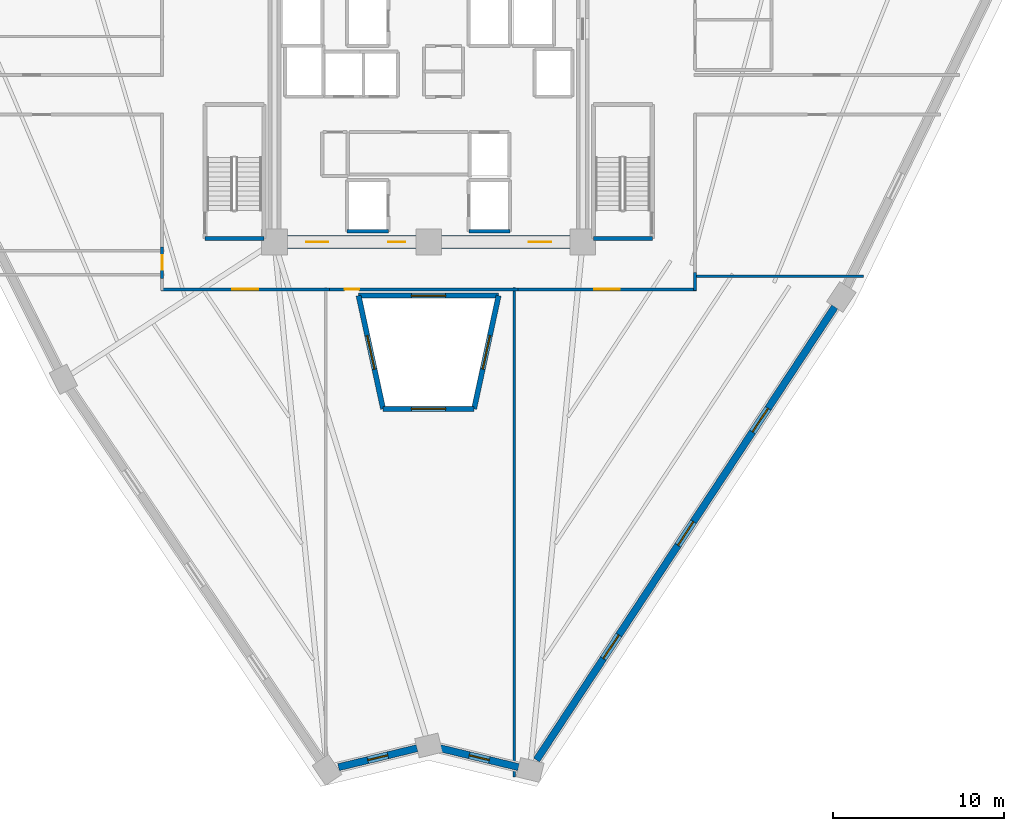
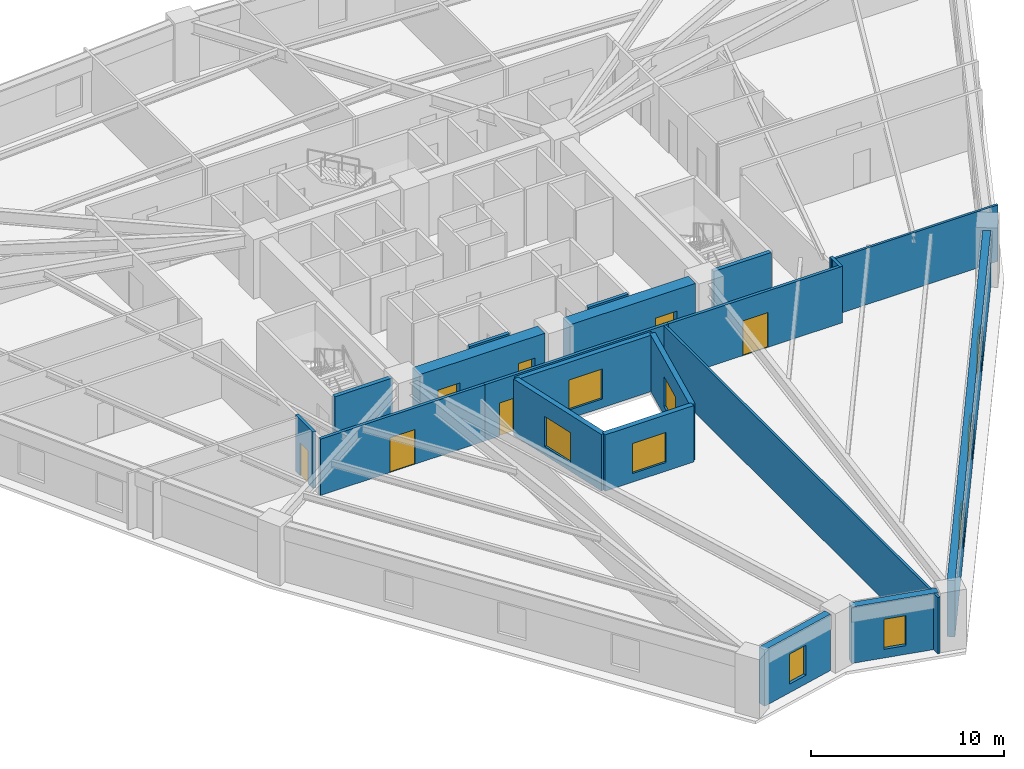
# One storey, part 3 of 9: 20 walls, 9 windows, 7 doors, 16 openings.
"""IFC4 building model written with IfcOpenShell, lengths in metres."""

from ifc_helpers import new_model, si_unit, direction, frame, frame_2d, origin, place, context, subcontext, project, spatial, rectangle, extrude, source, transform, mapped, material, layer, layer_set, type_object, element, fill, save


model = new_model("IFC4")

# Units and contexts
model_context = context("Model", 3, precision=1e-05, world=origin(), true_north=direction((0.0, 1.0)))
body_context = subcontext(model_context, "Body", "Model", "MODEL_VIEW")
ifc_project = project(units=[si_unit("LENGTHUNIT", "METRE"), si_unit("AREAUNIT", "SQUARE_METRE"), si_unit("VOLUMEUNIT", "CUBIC_METRE"), si_unit("PLANEANGLEUNIT", "RADIAN"), si_unit("MASSUNIT", "GRAM", prefix="KILO")], contexts=[model_context])

# Site, building, storey
site_placement = place(None, origin())
site = spatial("IfcSite", under=ifc_project, at=site_placement, CompositionType="ELEMENT")
building_placement = place(site_placement, origin())
building = spatial("IfcBuilding", under=site, at=building_placement, Name="Liaohun Quay Tower", CompositionType="ELEMENT")
storey_placement = place(building_placement, frame((0.0, 0.0, 128.25)))
storey = spatial("IfcBuildingStorey", under=building, at=storey_placement, Name="L33", CompositionType="ELEMENT", Elevation=128.25)

# Wall, opening, window
ifc_material_1 = material(Name="Concrete C50", Category="concrete")
ifc_layer_1 = layer(ifc_material_1, 0.300048828125, Name="Concrete C50", Category="concrete")
ifc_layer_set_1 = layer_set([ifc_layer_1], Name="Concrete C50")
wall_type_1 = type_object("IfcWallType", Name="WAL-ATR-300", PredefinedType="SOLIDWALL", material=ifc_layer_set_1)
wall_1_placement = place(storey_placement, frame((57.343017578125, 36.75390625, 0.0), z_axis=(0.0, 0.0, 1.0), x_axis=(-0.21138587267, 0.977402687144, 0.0)))
wall_1 = element("IfcWall", 1, at=wall_1_placement, inside=storey, type_object=wall_type_1, Name="L33 Atrium Fire Compartment Wall 1", PredefinedType="SOLIDWALL", context=body_context, shape_type="SweptSolid", body=[
    extrude(rectangle(XDim=6.769287109375, YDim=0.300048828125, at=frame_2d((3.384765625, 0.0))), origin(), (0.0, 0.0, 1.0), 3.570068359375),
])
shared_shape_1 = source(origin(), body_context, "Body", "SweptSolid", [
    extrude(rectangle(XDim=2.0, YDim=1.89990234375, at=frame_2d((1.0, 0.949951171875))), frame((0.0, 0.159912109375, 0.0), z_axis=(0.0, -1.0, 0.0), x_axis=(1.0, 0.0, 0.0)), (0.0, 0.0, 1.0), 0.320068359375),
])
opening_1_placement = place(wall_1_placement, frame((2.384033203125, 0.0, 0.550048828125)))
opening_1 = element("IfcOpeningElement", 2, at=opening_1_placement, cuts=wall_1, Name="Opening W07", PredefinedType="OPENING", context=body_context, shape_type="MappedRepresentation", body=[
    mapped(shared_shape_1, transform((0.0, 0.0, 0.0), x_axis=(1.0, 0.0, 0.0), y_axis=(0.0, 1.0, 0.0), z_axis=(0.0, 0.0, 1.0), scale=1.0)),
])
ifc_material_2 = material(Name="Class A 180-min fire-resistant insulated glazing", Category="glass")
window_type_1 = type_object("IfcWindowType", Name="WIN-ATR-FIR", PartitioningType="DOUBLE_PANEL_VERTICAL", PredefinedType="WINDOW", material=ifc_material_2)
shared_shape_2 = source(origin(), body_context, "Body", "SweptSolid", [
    extrude(rectangle(XDim=2.0, YDim=1.89990234375, at=frame_2d((1.0, 0.949951171875))), frame((0.0, 0.030029296875, 0.0), z_axis=(0.0, -1.0, 0.0), x_axis=(1.0, 0.0, 0.0)), (0.0, 0.0, 1.0), 0.06005859375),
])
window_1_placement = place(opening_1_placement, origin())
window_1 = element("IfcWindow", 3, at=window_1_placement, inside=storey, type_object=window_type_1, Name="L33 Atrium Fire-Resistant Glazing W07-1", OverallHeight=1.89990234375, OverallWidth=2.0, PartitioningType="DOUBLE_PANEL_VERTICAL", PredefinedType="WINDOW", context=body_context, shape_type="MappedRepresentation", body=[
    mapped(shared_shape_2, transform((0.0, 0.0, 0.0), x_axis=(1.0, 0.0, 0.0), y_axis=(0.0, 1.0, 0.0), z_axis=(0.0, 0.0, 1.0), scale=1.0)),
])
fill(opening_1, window_1)

wall_2_placement = place(storey_placement, frame((55.912109375, 43.3701171875, 0.0), z_axis=(0.0, 0.0, 1.0), x_axis=(1.0, 0.0, 0.0)))
wall_2 = element("IfcWall", 4, at=wall_2_placement, inside=storey, type_object=wall_type_1, Name="L33 Atrium Fire Compartment Wall 2", PredefinedType="SOLIDWALL", context=body_context, shape_type="SweptSolid", body=[
    extrude(rectangle(XDim=8.17578125, YDim=0.300048828125, at=frame_2d((4.087890625, 0.0))), origin(), (0.0, 0.0, 1.0), 3.570068359375),
])
opening_2_placement = place(wall_2_placement, frame((3.087890625, 0.0, 0.550048828125)))
opening_2 = element("IfcOpeningElement", 5, at=opening_2_placement, cuts=wall_2, Name="Opening W07", PredefinedType="OPENING", context=body_context, shape_type="MappedRepresentation", body=[
    mapped(shared_shape_1, transform((0.0, 0.0, 0.0), x_axis=(1.0, 0.0, 0.0), y_axis=(0.0, 1.0, 0.0), z_axis=(0.0, 0.0, 1.0), scale=1.0)),
])
window_2_placement = place(opening_2_placement, origin())
window_2 = element("IfcWindow", 6, at=window_2_placement, inside=storey, type_object=window_type_1, Name="L33 Atrium Fire-Resistant Glazing W07-2", OverallHeight=1.89990234375, OverallWidth=2.0, PartitioningType="DOUBLE_PANEL_VERTICAL", PredefinedType="WINDOW", context=body_context, shape_type="MappedRepresentation", body=[
    mapped(shared_shape_2, transform((0.0, 0.0, 0.0), x_axis=(1.0, 0.0, 0.0), y_axis=(0.0, 1.0, 0.0), z_axis=(0.0, 0.0, 1.0), scale=1.0)),
])
fill(opening_2, window_2)

wall_3_placement = place(storey_placement, frame((64.087890625, 43.3701171875, 0.0), z_axis=(0.0, 0.0, 1.0), x_axis=(-0.21138587267, -0.977402687144, 0.0)))
wall_3 = element("IfcWall", 7, at=wall_3_placement, inside=storey, type_object=wall_type_1, Name="L33 Atrium Fire Compartment Wall 3", PredefinedType="SOLIDWALL", context=body_context, shape_type="SweptSolid", body=[
    extrude(rectangle(XDim=6.769287109375, YDim=0.300048828125, at=frame_2d((3.384765625, 0.0))), origin(), (0.0, 0.0, 1.0), 3.570068359375),
])
opening_3_placement = place(wall_3_placement, frame((2.384033203125, 0.0, 0.550048828125)))
opening_3 = element("IfcOpeningElement", 8, at=opening_3_placement, cuts=wall_3, Name="Opening W07", PredefinedType="OPENING", context=body_context, shape_type="MappedRepresentation", body=[
    mapped(shared_shape_1, transform((0.0, 0.0, 0.0), x_axis=(1.0, 0.0, 0.0), y_axis=(0.0, 1.0, 0.0), z_axis=(0.0, 0.0, 1.0), scale=1.0)),
])
window_3_placement = place(opening_3_placement, origin())
window_3 = element("IfcWindow", 9, at=window_3_placement, inside=storey, type_object=window_type_1, Name="L33 Atrium Fire-Resistant Glazing W07-3", OverallHeight=1.89990234375, OverallWidth=2.0, PartitioningType="DOUBLE_PANEL_VERTICAL", PredefinedType="WINDOW", context=body_context, shape_type="MappedRepresentation", body=[
    mapped(shared_shape_2, transform((0.0, 0.0, 0.0), x_axis=(1.0, 0.0, 0.0), y_axis=(0.0, 1.0, 0.0), z_axis=(0.0, 0.0, 1.0), scale=1.0)),
])
fill(opening_3, window_3)

wall_4_placement = place(storey_placement, frame((62.656982421875, 36.75390625, 0.0), z_axis=(0.0, 0.0, 1.0), x_axis=(-1.0, 0.0, 0.0)))
wall_4 = element("IfcWall", 10, at=wall_4_placement, inside=storey, type_object=wall_type_1, Name="L33 Atrium Fire Compartment Wall 4", PredefinedType="SOLIDWALL", context=body_context, shape_type="SweptSolid", body=[
    extrude(rectangle(XDim=5.31396484375, YDim=0.300048828125, at=frame_2d((2.656982421875, 0.0))), origin(), (0.0, 0.0, 1.0), 3.570068359375),
])
opening_4_placement = place(wall_4_placement, frame((1.656982421875, 0.0, 0.550048828125)))
opening_4 = element("IfcOpeningElement", 11, at=opening_4_placement, cuts=wall_4, Name="Opening W07", PredefinedType="OPENING", context=body_context, shape_type="MappedRepresentation", body=[
    mapped(shared_shape_1, transform((0.0, 0.0, 0.0), x_axis=(1.0, 0.0, 0.0), y_axis=(0.0, 1.0, 0.0), z_axis=(0.0, 0.0, 1.0), scale=1.0)),
])
window_4_placement = place(opening_4_placement, origin())
window_4 = element("IfcWindow", 12, at=window_4_placement, inside=storey, type_object=window_type_1, Name="L33 Atrium Fire-Resistant Glazing W07-4", OverallHeight=1.89990234375, OverallWidth=2.0, PartitioningType="DOUBLE_PANEL_VERTICAL", PredefinedType="WINDOW", context=body_context, shape_type="MappedRepresentation", body=[
    mapped(shared_shape_2, transform((0.0, 0.0, 0.0), x_axis=(1.0, 0.0, 0.0), y_axis=(0.0, 1.0, 0.0), z_axis=(0.0, 0.0, 1.0), scale=1.0)),
])
fill(opening_4, window_4)

# Wall, opening, door
ifc_material_3 = material(Name="Concrete C60", Category="concrete")
ifc_layer_2 = layer(ifc_material_3, 0.75, Name="Concrete C60", Category="concrete")
ifc_layer_set_2 = layer_set([ifc_layer_2], Name="Concrete C60")
wall_type_2 = type_object("IfcWallType", Name="WAL-COR-Z2", PredefinedType="SHEAR", material=ifc_layer_set_2)
wall_5_placement = place(storey_placement, frame((68.25, 46.5, 0.0), z_axis=(0.0, 0.0, 1.0), x_axis=(-1.0, 0.0, 0.0)))
wall_5 = element("IfcWall", 13, at=wall_5_placement, inside=storey, type_object=wall_type_2, Name="L33 Central Core Shear Wall S-E", PredefinedType="SHEAR", context=body_context, shape_type="SweptSolid", body=[
    extrude(rectangle(XDim=7.5, YDim=0.75, at=frame_2d((3.75, 0.0))), origin(), (0.0, 0.0, 1.0), 3.570068359375),
])
shared_shape_3 = source(origin(), body_context, "Body", "SweptSolid", [
    extrude(rectangle(XDim=1.300048828125, YDim=2.199951171875, at=frame_2d((0.64990234375, 1.10009765625))), frame((0.0, 0.385009765625, 0.0), z_axis=(0.0, -1.0, 0.0), x_axis=(1.0, 0.0, 0.0)), (0.0, 0.0, 1.0), 0.77001953125),
])
opening_5_placement = place(wall_5_placement, frame((1.10009765625, 0.0, 0.0)))
opening_5 = element("IfcOpeningElement", 14, at=opening_5_placement, cuts=wall_5, Name="Opening FD1", PredefinedType="OPENING", context=body_context, shape_type="MappedRepresentation", body=[
    mapped(shared_shape_3, transform((0.0, 0.0, 0.0), x_axis=(1.0, 0.0, 0.0), y_axis=(0.0, 1.0, 0.0), z_axis=(0.0, 0.0, 1.0), scale=1.0)),
])
ifc_material_4 = material(Name="Galvanised steel smokeproof fire door", Category="steel")
door_type_1 = type_object("IfcDoorType", Name="DOR-FFL-1300", OperationType="NOTDEFINED", PredefinedType="DOOR", material=ifc_material_4)
shared_shape_4 = source(origin(), body_context, "Body", "SweptSolid", [
    extrude(rectangle(XDim=1.300048828125, YDim=2.199951171875, at=frame_2d((0.64990234375, 1.10009765625))), frame((0.0, 0.02490234375, 0.0), z_axis=(0.0, -1.0, 0.0), x_axis=(1.0, 0.0, 0.0)), (0.0, 0.0, 1.0), 0.050048828125),
])
door_1_placement = place(opening_5_placement, origin())
door_1 = element("IfcDoor", 15, at=door_1_placement, inside=storey, type_object=door_type_1, Name="L33 East Core Lift Lobby Smokeproof Door", OperationType="SINGLE_SWING_LEFT", OverallHeight=2.199951171875, OverallWidth=1.300048828125, PredefinedType="DOOR", context=body_context, shape_type="MappedRepresentation", body=[
    mapped(shared_shape_4, transform((0.0, 0.0, 0.0), x_axis=(1.0, 0.0, 0.0), y_axis=(0.0, 1.0, 0.0), z_axis=(0.0, 0.0, 1.0), scale=1.0)),
])
fill(opening_5, door_1)

# Wall, openings, doors
wall_6_placement = place(storey_placement, frame((59.25, 46.5, 0.0), z_axis=(0.0, 0.0, 1.0), x_axis=(-1.0, 0.0, 0.0)))
wall_6 = element("IfcWall", 16, at=wall_6_placement, inside=storey, type_object=wall_type_2, Name="L33 Central Core Shear Wall S-W", PredefinedType="SHEAR", context=body_context, shape_type="SweptSolid", body=[
    extrude(rectangle(XDim=7.5, YDim=0.75, at=frame_2d((3.75, 0.0))), origin(), (0.0, 0.0, 1.0), 3.570068359375),
])
opening_6_placement = place(wall_6_placement, frame((5.10009765625, 0.0, 0.0)))
opening_6 = element("IfcOpeningElement", 17, at=opening_6_placement, cuts=wall_6, Name="Opening FD1", PredefinedType="OPENING", context=body_context, shape_type="MappedRepresentation", body=[
    mapped(shared_shape_3, transform((0.0, 0.0, 0.0), x_axis=(1.0, 0.0, 0.0), y_axis=(0.0, 1.0, 0.0), z_axis=(0.0, 0.0, 1.0), scale=1.0)),
])
shared_shape_5 = source(origin(), body_context, "Body", "SweptSolid", [
    extrude(rectangle(XDim=1.0, YDim=2.199951171875, at=frame_2d((0.5, 1.10009765625))), frame((0.0, 0.385009765625, 0.0), z_axis=(0.0, -1.0, 0.0), x_axis=(1.0, 0.0, 0.0)), (0.0, 0.0, 1.0), 0.77001953125),
])
opening_7_placement = place(wall_6_placement, frame((0.60009765625, 0.0, 0.0)))
opening_7 = element("IfcOpeningElement", 18, at=opening_7_placement, cuts=wall_6, Name="Opening FD2", PredefinedType="OPENING", context=body_context, shape_type="MappedRepresentation", body=[
    mapped(shared_shape_5, transform((0.0, 0.0, 0.0), x_axis=(1.0, 0.0, 0.0), y_axis=(0.0, 1.0, 0.0), z_axis=(0.0, 0.0, 1.0), scale=1.0)),
])
door_2_placement = place(opening_6_placement, origin())
door_2 = element("IfcDoor", 19, at=door_2_placement, inside=storey, type_object=door_type_1, Name="L33 West Core Lift Lobby Smokeproof Door", OperationType="SINGLE_SWING_RIGHT", OverallHeight=2.199951171875, OverallWidth=1.300048828125, PredefinedType="DOOR", context=body_context, shape_type="MappedRepresentation", body=[
    mapped(shared_shape_4, transform((0.0, 0.0, 0.0), x_axis=(1.0, 0.0, 0.0), y_axis=(0.0, 1.0, 0.0), z_axis=(0.0, 0.0, 1.0), scale=1.0)),
])
fill(opening_6, door_2)
ifc_material_5 = material(Name="Galvanised steel smokeproof lobby fire door", Category="steel")
door_type_2 = type_object("IfcDoorType", Name="DOR-FFL-1000", OperationType="NOTDEFINED", PredefinedType="DOOR", material=ifc_material_5)
shared_shape_6 = source(origin(), body_context, "Body", "SweptSolid", [
    extrude(rectangle(XDim=1.0, YDim=2.199951171875, at=frame_2d((0.5, 1.10009765625))), frame((0.0, 0.02490234375, 0.0), z_axis=(0.0, -1.0, 0.0), x_axis=(1.0, 0.0, 0.0)), (0.0, 0.0, 1.0), 0.050048828125),
])
door_3_placement = place(opening_7_placement, origin())
door_3 = element("IfcDoor", 20, at=door_3_placement, inside=storey, type_object=door_type_2, Name="L33 South Firefighting Lobby Smokeproof Door", OperationType="SINGLE_SWING_LEFT", OverallHeight=2.199951171875, OverallWidth=1.0, PredefinedType="DOOR", context=body_context, shape_type="MappedRepresentation", body=[
    mapped(shared_shape_6, transform((0.0, 0.0, 0.0), x_axis=(1.0, 0.0, 0.0), y_axis=(0.0, 1.0, 0.0), z_axis=(0.0, 0.0, 1.0), scale=1.0)),
])
fill(opening_7, door_3)

# Wall, opening, window
ifc_material_6 = material(Name="Precast concrete C50 insulated sandwich", Category="concrete")
ifc_layer_3 = layer(ifc_material_6, 0.419921875, Name="Precast concrete C50 insulated sandwich", Category="concrete")
ifc_layer_set_3 = layer_set([ifc_layer_3], Name="Precast concrete C50 insulated sandwich")
wall_type_3 = type_object("IfcWallType", Name="WAL-EXT-Z12", PredefinedType="SOLIDWALL", material=ifc_layer_set_3)
wall_7_placement = place(storey_placement, frame((60.6708984375, 16.945068359375, 0.0), z_axis=(0.0, 0.0, 1.0), x_axis=(0.972084652769, -0.234630406918, 0.0)))
wall_7 = element("IfcWall", 21, at=wall_7_placement, inside=storey, type_object=wall_type_3, Name="L33 Brutalist Precast Pier Wall 01", PredefinedType="SOLIDWALL", context=body_context, shape_type="SweptSolid", body=[
    extrude(rectangle(XDim=4.713623046875, YDim=0.419921875, at=frame_2d((2.35693359375, 0.0))), origin(), (0.0, 0.0, 1.0), 3.570068359375),
])
shared_shape_7 = source(origin(), body_context, "Body", "SweptSolid", [
    extrude(rectangle(XDim=1.199951171875, YDim=1.89990234375, at=frame_2d((0.60009765625, 0.949951171875))), frame((0.0, 0.219970703125, 0.0), z_axis=(0.0, -1.0, 0.0), x_axis=(1.0, 0.0, 0.0)), (0.0, 0.0, 1.0), 0.43994140625),
])
opening_8_placement = place(wall_7_placement, frame((1.757080078125, 0.0, 0.550048828125)))
opening_8 = element("IfcOpeningElement", 22, at=opening_8_placement, cuts=wall_7, Name="Opening W05", PredefinedType="OPENING", context=body_context, shape_type="MappedRepresentation", body=[
    mapped(shared_shape_7, transform((0.0, 0.0, 0.0), x_axis=(1.0, 0.0, 0.0), y_axis=(0.0, 1.0, 0.0), z_axis=(0.0, 0.0, 1.0), scale=1.0)),
])
ifc_material_7 = material(Name="Triple Low-E corner notch glazing", Category="glass")
window_type_2 = type_object("IfcWindowType", Name="WIN-NOTCH", PartitioningType="SINGLE_PANEL", PredefinedType="WINDOW", material=ifc_material_7)
shared_shape_8 = source(origin(), body_context, "Body", "SweptSolid", [
    extrude(rectangle(XDim=1.199951171875, YDim=1.89990234375, at=frame_2d((0.60009765625, 0.949951171875))), frame((0.0, 0.030029296875, 0.0), z_axis=(0.0, -1.0, 0.0), x_axis=(1.0, 0.0, 0.0)), (0.0, 0.0, 1.0), 0.06005859375),
])
window_5_placement = place(opening_8_placement, origin())
window_5 = element("IfcWindow", 23, at=window_5_placement, inside=storey, type_object=window_type_2, Name="L33 Corner Notch Window W05-01", OverallHeight=1.89990234375, OverallWidth=1.199951171875, PartitioningType="SINGLE_PANEL", PredefinedType="WINDOW", context=body_context, shape_type="MappedRepresentation", body=[
    mapped(shared_shape_8, transform((0.0, 0.0, 0.0), x_axis=(1.0, 0.0, 0.0), y_axis=(0.0, 1.0, 0.0), z_axis=(0.0, 0.0, 1.0), scale=1.0)),
])
fill(opening_8, window_5)

# Wall, openings, windows
wall_8_placement = place(storey_placement, frame((66.302978515625, 16.2529296875, 0.0), z_axis=(0.0, 0.0, 1.0), x_axis=(0.549799789037, 0.835296469509, 0.0)))
wall_8 = element("IfcWall", 24, at=wall_8_placement, inside=storey, type_object=wall_type_3, Name="L33 Brutalist Precast Pier Wall 02", PredefinedType="SOLIDWALL", context=body_context, shape_type="SweptSolid", body=[
    extrude(rectangle(XDim=31.6787109375, YDim=0.419921875, at=frame_2d((15.83935546875, 0.0))), origin(), (0.0, 0.0, 1.0), 3.570068359375),
])
shared_shape_9 = source(origin(), body_context, "Body", "SweptSolid", [
    extrude(rectangle(XDim=1.64990234375, YDim=1.949951171875, at=frame_2d((0.824951171875, 0.97509765625))), frame((0.0, 0.219970703125, 0.0), z_axis=(0.0, -1.0, 0.0), x_axis=(1.0, 0.0, 0.0)), (0.0, 0.0, 1.0), 0.43994140625),
])
opening_9_placement = place(wall_8_placement, frame((7.094970703125, 0.0, 0.550048828125)))
opening_9 = element("IfcOpeningElement", 25, at=opening_9_placement, cuts=wall_8, Name="Opening W02", PredefinedType="OPENING", context=body_context, shape_type="MappedRepresentation", body=[
    mapped(shared_shape_9, transform((0.0, 0.0, 0.0), x_axis=(1.0, 0.0, 0.0), y_axis=(0.0, 1.0, 0.0), z_axis=(0.0, 0.0, 1.0), scale=1.0)),
])
opening_10_placement = place(wall_8_placement, frame((15.013916015625, 0.0, 0.550048828125)))
opening_10 = element("IfcOpeningElement", 26, at=opening_10_placement, cuts=wall_8, Name="Opening W02", PredefinedType="OPENING", context=body_context, shape_type="MappedRepresentation", body=[
    mapped(shared_shape_9, transform((0.0, 0.0, 0.0), x_axis=(1.0, 0.0, 0.0), y_axis=(0.0, 1.0, 0.0), z_axis=(0.0, 0.0, 1.0), scale=1.0)),
])
opening_11_placement = place(wall_8_placement, frame((22.93408203125, 0.0, 0.550048828125)))
opening_11 = element("IfcOpeningElement", 27, at=opening_11_placement, cuts=wall_8, Name="Opening W02", PredefinedType="OPENING", context=body_context, shape_type="MappedRepresentation", body=[
    mapped(shared_shape_9, transform((0.0, 0.0, 0.0), x_axis=(1.0, 0.0, 0.0), y_axis=(0.0, 1.0, 0.0), z_axis=(0.0, 0.0, 1.0), scale=1.0)),
])
ifc_material_8 = material(Name="Triple Low-E argon glazing in thermally broken aluminium", Category="aluminium")
window_type_3 = type_object("IfcWindowType", Name="WIN-PUN-Z2", PartitioningType="DOUBLE_PANEL_VERTICAL", PredefinedType="WINDOW", material=ifc_material_8)
shared_shape_10 = source(origin(), body_context, "Body", "SweptSolid", [
    extrude(rectangle(XDim=1.64990234375, YDim=1.949951171875, at=frame_2d((0.824951171875, 0.97509765625))), frame((0.0, 0.030029296875, 0.0), z_axis=(0.0, -1.0, 0.0), x_axis=(1.0, 0.0, 0.0)), (0.0, 0.0, 1.0), 0.06005859375),
])
window_6_placement = place(opening_9_placement, origin())
window_6 = element("IfcWindow", 28, at=window_6_placement, inside=storey, type_object=window_type_3, Name="L33 Recessed Cold-Climate Punched Window 02-1", OverallHeight=1.949951171875, OverallWidth=1.64990234375, PartitioningType="DOUBLE_PANEL_VERTICAL", PredefinedType="WINDOW", context=body_context, shape_type="MappedRepresentation", body=[
    mapped(shared_shape_10, transform((0.0, 0.0, 0.0), x_axis=(1.0, 0.0, 0.0), y_axis=(0.0, 1.0, 0.0), z_axis=(0.0, 0.0, 1.0), scale=1.0)),
])
fill(opening_9, window_6)
window_7_placement = place(opening_10_placement, origin())
window_7 = element("IfcWindow", 29, at=window_7_placement, inside=storey, type_object=window_type_3, Name="L33 Recessed Cold-Climate Punched Window 02-2", OverallHeight=1.949951171875, OverallWidth=1.64990234375, PartitioningType="DOUBLE_PANEL_VERTICAL", PredefinedType="WINDOW", context=body_context, shape_type="MappedRepresentation", body=[
    mapped(shared_shape_10, transform((0.0, 0.0, 0.0), x_axis=(1.0, 0.0, 0.0), y_axis=(0.0, 1.0, 0.0), z_axis=(0.0, 0.0, 1.0), scale=1.0)),
])
fill(opening_10, window_7)
window_8_placement = place(opening_11_placement, origin())
window_8 = element("IfcWindow", 30, at=window_8_placement, inside=storey, type_object=window_type_3, Name="L33 Recessed Cold-Climate Punched Window 02-3", OverallHeight=1.949951171875, OverallWidth=1.64990234375, PartitioningType="DOUBLE_PANEL_VERTICAL", PredefinedType="WINDOW", context=body_context, shape_type="MappedRepresentation", body=[
    mapped(shared_shape_10, transform((0.0, 0.0, 0.0), x_axis=(1.0, 0.0, 0.0), y_axis=(0.0, 1.0, 0.0), z_axis=(0.0, 0.0, 1.0), scale=1.0)),
])
fill(opening_11, window_8)

# Wall, opening, window
wall_9_placement = place(storey_placement, frame((54.739990234375, 15.8369140625, 0.0), z_axis=(0.0, 0.0, 1.0), x_axis=(0.972061054332, 0.234728154791, 0.0)))
wall_9 = element("IfcWall", 31, at=wall_9_placement, inside=storey, type_object=wall_type_3, Name="L33 Brutalist Precast Pier Wall 12", PredefinedType="SOLIDWALL", context=body_context, shape_type="SweptSolid", body=[
    extrude(rectangle(XDim=4.720947265625, YDim=0.419921875, at=frame_2d((2.3603515625, 0.0))), origin(), (0.0, 0.0, 1.0), 3.570068359375),
])
opening_12_placement = place(wall_9_placement, frame((1.760009765625, 0.0, 0.550048828125)))
opening_12 = element("IfcOpeningElement", 32, at=opening_12_placement, cuts=wall_9, Name="Opening W05", PredefinedType="OPENING", context=body_context, shape_type="MappedRepresentation", body=[
    mapped(shared_shape_7, transform((0.0, 0.0, 0.0), x_axis=(1.0, 0.0, 0.0), y_axis=(0.0, 1.0, 0.0), z_axis=(0.0, 0.0, 1.0), scale=1.0)),
])
window_9_placement = place(opening_12_placement, origin())
window_9 = element("IfcWindow", 33, at=window_9_placement, inside=storey, type_object=window_type_2, Name="L33 Corner Notch Window W05-12", OverallHeight=1.89990234375, OverallWidth=1.199951171875, PartitioningType="SINGLE_PANEL", PredefinedType="WINDOW", context=body_context, shape_type="MappedRepresentation", body=[
    mapped(shared_shape_8, transform((0.0, 0.0, 0.0), x_axis=(1.0, 0.0, 0.0), y_axis=(0.0, 1.0, 0.0), z_axis=(0.0, 0.0, 1.0), scale=1.0)),
])
fill(opening_12, window_9)

# Wall, opening, door
ifc_material_9 = material(Name="Autoclaved aerated concrete blockwork", Category="masonry")
ifc_layer_4 = layer(ifc_material_9, 0.179931640625, Name="Autoclaved aerated concrete blockwork", Category="masonry")
ifc_layer_set_4 = layer_set([ifc_layer_4], Name="Autoclaved aerated concrete blockwork")
wall_type_4 = type_object("IfcWallType", Name="WAL-PRT-COR", PredefinedType="PARTITIONING", material=ifc_layer_set_4)
wall_10_placement = place(storey_placement, frame((44.43994140625, 44.385009765625, 0.0), z_axis=(0.0, 0.0, 1.0), x_axis=(0.0, 1.0, 0.0)))
wall_10 = element("IfcWall", 34, at=wall_10_placement, inside=storey, type_object=wall_type_4, Name="L33 Interior Partition Wall 023", PredefinedType="PARTITIONING", context=body_context, shape_type="SweptSolid", body=[
    extrude(rectangle(XDim=1.830078125, YDim=0.179931640625, at=frame_2d((0.9150390625, 0.0))), origin(), (0.0, 0.0, 1.0), 3.570068359375),
])
shared_shape_11 = source(origin(), body_context, "Body", "SweptSolid", [
    extrude(rectangle(XDim=0.85009765625, YDim=2.10009765625, at=frame_2d((0.425048828125, 1.050048828125))), frame((0.0, 0.099853515625, 0.0), z_axis=(0.0, -1.0, 0.0), x_axis=(1.0, 0.0, 0.0)), (0.0, 0.0, 1.0), 0.199951171875),
])
opening_13_placement = place(wall_10_placement, frame((0.489990234375, 0.0, 0.0)))
opening_13 = element("IfcOpeningElement", 35, at=opening_13_placement, cuts=wall_10, Name="Opening AD1", PredefinedType="OPENING", context=body_context, shape_type="MappedRepresentation", body=[
    mapped(shared_shape_11, transform((0.0, 0.0, 0.0), x_axis=(1.0, 0.0, 0.0), y_axis=(0.0, 1.0, 0.0), z_axis=(0.0, 0.0, 1.0), scale=1.0)),
])
ifc_material_10 = material(Name="Steel riser inspection fire door", Category="steel")
door_type_3 = type_object("IfcDoorType", Name="DOR-SHF-850", OperationType="NOTDEFINED", PredefinedType="DOOR", material=ifc_material_10)
shared_shape_12 = source(origin(), body_context, "Body", "SweptSolid", [
    extrude(rectangle(XDim=0.85009765625, YDim=2.10009765625, at=frame_2d((0.425048828125, 1.050048828125))), frame((0.0, 0.02490234375, 0.0), z_axis=(0.0, -1.0, 0.0), x_axis=(1.0, 0.0, 0.0)), (0.0, 0.0, 1.0), 0.050048828125),
])
door_4_placement = place(opening_13_placement, origin())
door_4 = element("IfcDoor", 36, at=door_4_placement, inside=storey, type_object=door_type_3, Name="L33 Records Archive Store 09 Door", OperationType="SINGLE_SWING_LEFT", OverallHeight=2.10009765625, OverallWidth=0.85009765625, PredefinedType="DOOR", context=body_context, shape_type="MappedRepresentation", body=[
    mapped(shared_shape_12, transform((0.0, 0.0, 0.0), x_axis=(1.0, 0.0, 0.0), y_axis=(0.0, 1.0, 0.0), z_axis=(0.0, 0.0, 1.0), scale=1.0)),
])
fill(opening_13, door_4)

wall_11_placement = place(storey_placement, frame((54.215087890625, 43.739990234375, 0.0), z_axis=(0.0, 0.0, 1.0), x_axis=(-1.0, 0.0, 0.0)))
wall_11 = element("IfcWall", 37, at=wall_11_placement, inside=storey, type_object=wall_type_4, Name="L33 Interior Partition Wall 024", PredefinedType="PARTITIONING", context=body_context, shape_type="SweptSolid", body=[
    extrude(rectangle(XDim=9.844970703125, YDim=0.179931640625, at=frame_2d((4.92236328125, 0.0))), origin(), (0.0, 0.0, 1.0), 3.570068359375),
])
shared_shape_13 = source(origin(), body_context, "Body", "SweptSolid", [
    extrude(rectangle(XDim=1.5, YDim=2.199951171875, at=frame_2d((0.75, 1.10009765625))), frame((0.0, 0.099853515625, 0.0), z_axis=(0.0, -1.0, 0.0), x_axis=(1.0, 0.0, 0.0)), (0.0, 0.0, 1.0), 0.199951171875),
])
opening_14_placement = place(wall_11_placement, frame((4.173095703125, 0.0, 0.0)))
opening_14 = element("IfcOpeningElement", 38, at=opening_14_placement, cuts=wall_11, Name="Opening OD2", PredefinedType="OPENING", context=body_context, shape_type="MappedRepresentation", body=[
    mapped(shared_shape_13, transform((0.0, 0.0, 0.0), x_axis=(1.0, 0.0, 0.0), y_axis=(0.0, 1.0, 0.0), z_axis=(0.0, 0.0, 1.0), scale=1.0)),
])
ifc_material_11 = material(Name="Acoustic oak veneer double door")
door_type_4 = type_object("IfcDoorType", Name="DOR-OFF-1500", OperationType="DOUBLE_DOOR_SINGLE_SWING", PredefinedType="DOOR", material=ifc_material_11)
shared_shape_14 = source(origin(), body_context, "Body", "SweptSolid", [
    extrude(rectangle(XDim=1.5, YDim=2.199951171875, at=frame_2d((0.75, 1.10009765625))), frame((0.0, 0.02490234375, 0.0), z_axis=(0.0, -1.0, 0.0), x_axis=(1.0, 0.0, 0.0)), (0.0, 0.0, 1.0), 0.050048828125),
])
door_5_placement = place(opening_14_placement, origin())
door_5 = element("IfcDoor", 39, at=door_5_placement, inside=storey, type_object=door_type_4, Name="L33 Open-Plan Office Workplace 10 Door", OperationType="DOUBLE_DOOR_SINGLE_SWING", OverallHeight=2.199951171875, OverallWidth=1.5, PredefinedType="DOOR", context=body_context, shape_type="MappedRepresentation", body=[
    mapped(shared_shape_14, transform((0.0, 0.0, 0.0), x_axis=(1.0, 0.0, 0.0), y_axis=(0.0, 1.0, 0.0), z_axis=(0.0, 0.0, 1.0), scale=1.0)),
])
fill(opening_14, door_5)

wall_12_placement = place(storey_placement, frame((65.215087890625, 43.739990234375, 0.0), z_axis=(0.0, 0.0, 1.0), x_axis=(-1.0, 0.0, 0.0)))
wall_12 = element("IfcWall", 40, at=wall_12_placement, inside=storey, type_object=wall_type_4, Name="L33 Interior Partition Wall 025", PredefinedType="PARTITIONING", context=body_context, shape_type="SweptSolid", body=[
    extrude(rectangle(XDim=11.0, YDim=0.179931640625, at=frame_2d((5.5, 0.0))), origin(), (0.0, 0.0, 1.0), 3.570068359375),
])
opening_15_placement = place(wall_12_placement, frame((9.27490234375, 0.0, 0.0)))
opening_15 = element("IfcOpeningElement", 41, at=opening_15_placement, cuts=wall_12, Name="Opening AD1", PredefinedType="OPENING", context=body_context, shape_type="MappedRepresentation", body=[
    mapped(shared_shape_11, transform((0.0, 0.0, 0.0), x_axis=(1.0, 0.0, 0.0), y_axis=(0.0, 1.0, 0.0), z_axis=(0.0, 0.0, 1.0), scale=1.0)),
])
door_6_placement = place(opening_15_placement, origin())
door_6 = element("IfcDoor", 42, at=door_6_placement, inside=storey, type_object=door_type_3, Name="L33 Executive Partner Office 11 Door", OperationType="SINGLE_SWING_LEFT", OverallHeight=2.10009765625, OverallWidth=0.85009765625, PredefinedType="DOOR", context=body_context, shape_type="MappedRepresentation", body=[
    mapped(shared_shape_12, transform((0.0, 0.0, 0.0), x_axis=(1.0, 0.0, 0.0), y_axis=(0.0, 1.0, 0.0), z_axis=(0.0, 0.0, 1.0), scale=1.0)),
])
fill(opening_15, door_6)

wall_13_placement = place(storey_placement, frame((75.6298828125, 43.739990234375, 0.0), z_axis=(0.0, 0.0, 1.0), x_axis=(-1.0, 0.0, 0.0)))
wall_13 = element("IfcWall", 43, at=wall_13_placement, inside=storey, type_object=wall_type_4, Name="L33 Interior Partition Wall 026", PredefinedType="PARTITIONING", context=body_context, shape_type="SweptSolid", body=[
    extrude(rectangle(XDim=10.414794921875, YDim=0.179931640625, at=frame_2d((5.20751953125, 0.0))), origin(), (0.0, 0.0, 1.0), 3.570068359375),
])
opening_16_placement = place(wall_13_placement, frame((4.45703125, 0.0, 0.0)))
opening_16 = element("IfcOpeningElement", 44, at=opening_16_placement, cuts=wall_13, Name="Opening OD2", PredefinedType="OPENING", context=body_context, shape_type="MappedRepresentation", body=[
    mapped(shared_shape_13, transform((0.0, 0.0, 0.0), x_axis=(1.0, 0.0, 0.0), y_axis=(0.0, 1.0, 0.0), z_axis=(0.0, 0.0, 1.0), scale=1.0)),
])
door_7_placement = place(opening_16_placement, origin())
door_7 = element("IfcDoor", 45, at=door_7_placement, inside=storey, type_object=door_type_4, Name="L33 Client Reception Office 12 Door", OperationType="DOUBLE_DOOR_SINGLE_SWING", OverallHeight=2.199951171875, OverallWidth=1.5, PredefinedType="DOOR", context=body_context, shape_type="MappedRepresentation", body=[
    mapped(shared_shape_14, transform((0.0, 0.0, 0.0), x_axis=(1.0, 0.0, 0.0), y_axis=(0.0, 1.0, 0.0), z_axis=(0.0, 0.0, 1.0), scale=1.0)),
])
fill(opening_16, door_7)

# Walls
wall_14_placement = place(storey_placement, frame((75.56005859375, 44.715087890625, 0.0), z_axis=(0.0, 0.0, 1.0), x_axis=(0.0, -1.0, 0.0)))
element("IfcWall", 46, at=wall_14_placement, inside=storey, type_object=wall_type_4, Name="L33 Interior Partition Wall 050", PredefinedType="PARTITIONING", context=body_context, shape_type="SweptSolid", body=[
    extrude(rectangle(XDim=1.045166015625, YDim=0.179931640625, at=frame_2d((0.5224609375, 0.0))), origin(), (0.0, 0.0, 1.0), 3.570068359375),
])
ifc_material_12 = material(Name="Gypsum board on twin steel studs", Category="steel")
ifc_layer_5 = layer(ifc_material_12, 0.139892578125, Name="Gypsum board on twin steel studs", Category="steel")
ifc_layer_set_5 = layer_set([ifc_layer_5], Name="Gypsum board on twin steel studs")
wall_type_5 = type_object("IfcWallType", Name="WAL-PRT-OFF", PredefinedType="PARTITIONING", material=ifc_layer_set_5)
wall_15_placement = place(storey_placement, frame((75.4599609375, 44.5, 0.0), z_axis=(0.0, 0.0, 1.0), x_axis=(1.0, 0.0, 0.0)))
element("IfcWall", 47, at=wall_15_placement, inside=storey, type_object=wall_type_5, Name="L33 Interior Partition Wall 056", PredefinedType="PARTITIONING", context=body_context, shape_type="SweptSolid", body=[
    extrude(rectangle(XDim=9.929931640625, YDim=0.139892578125, at=frame_2d((4.96484375, 0.0))), origin(), (0.0, 0.0, 1.0), 3.570068359375),
])
wall_16_placement = place(storey_placement, frame((65.0, 43.840087890625, 0.0), z_axis=(0.0, 0.0, 1.0), x_axis=(0.0, -1.0, 0.0)))
element("IfcWall", 48, at=wall_16_placement, inside=storey, type_object=wall_type_5, Name="L33 Interior Partition Wall 062", PredefinedType="PARTITIONING", context=body_context, shape_type="SweptSolid", body=[
    extrude(rectangle(XDim=28.588134765625, YDim=0.139892578125, at=frame_2d((14.2939453125, 0.0))), origin(), (0.0, 0.0, 1.0), 3.570068359375),
])
ifc_layer_6 = layer(ifc_material_1, 0.239990234375, Name="Concrete C50", Category="concrete")
ifc_layer_set_6 = layer_set([ifc_layer_6], Name="Concrete C50")
wall_type_6 = type_object("IfcWallType", Name="WAL-SHF-200", PredefinedType="SOLIDWALL", material=ifc_layer_set_6)
for number, where, z_axis, x_axis, name in (
    (49, (46.93994140625, 46.699951171875, 0.0), (0.0, 0.0, 1.0), (1.0, 0.0, 0.0), "L33 Stairwell ST-1 Structural Core Wall S"),
    (50, (69.6201171875, 46.699951171875, 0.0), (0.0, 0.0, 1.0), (1.0, 0.0, 0.0), "L33 Stairwell ST-2 Structural Core Wall S"),
):
    element("IfcWall", number, at=place(storey_placement, frame(where, z_axis=z_axis, x_axis=x_axis)), inside=storey, type_object=wall_type_6, Name=name, PredefinedType="SOLIDWALL", context=body_context, shape_type="SweptSolid", body=[
        extrude(rectangle(XDim=3.43994140625, YDim=0.239990234375, at=frame_2d((1.719970703125, 0.0))), origin(), (0.0, 0.0, 1.0), 3.570068359375),
    ])
for number, where, z_axis, x_axis, name in (
    (51, (55.25, 47.1201171875, 0.0), (0.0, 0.0, 1.0), (1.0, 0.0, 0.0), "L33 Lift FF-01 Hoistway Wall S"),
    (52, (62.35009765625, 47.1201171875, 0.0), (0.0, 0.0, 1.0), (1.0, 0.0, 0.0), "L33 Lift FF-02 Hoistway Wall S"),
):
    element("IfcWall", number, at=place(storey_placement, frame(where, z_axis=z_axis, x_axis=x_axis)), inside=storey, type_object=wall_type_6, Name=name, PredefinedType="SOLIDWALL", context=body_context, shape_type="SweptSolid", body=[
        extrude(rectangle(XDim=2.39990234375, YDim=0.199951171875, at=frame_2d((1.199951171875, 0.0))), origin(), (0.0, 0.0, 1.0), 3.570068359375),
    ])

save(model, "model.ifc")
